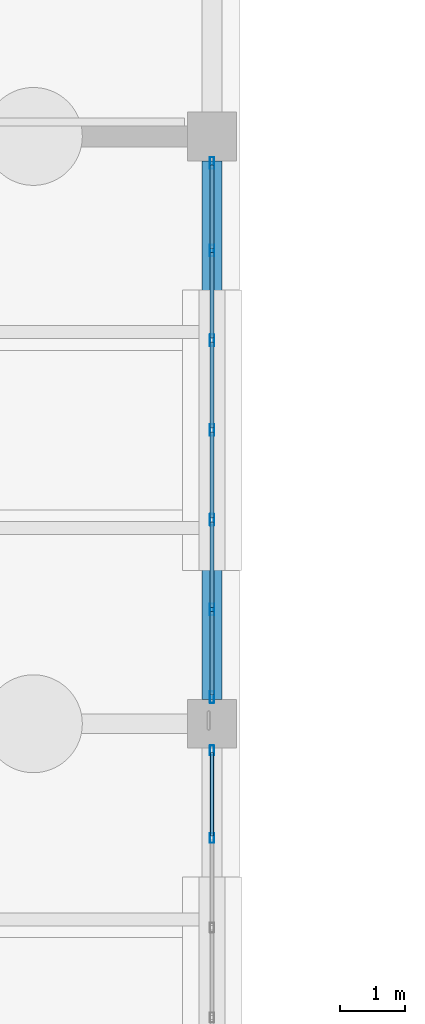
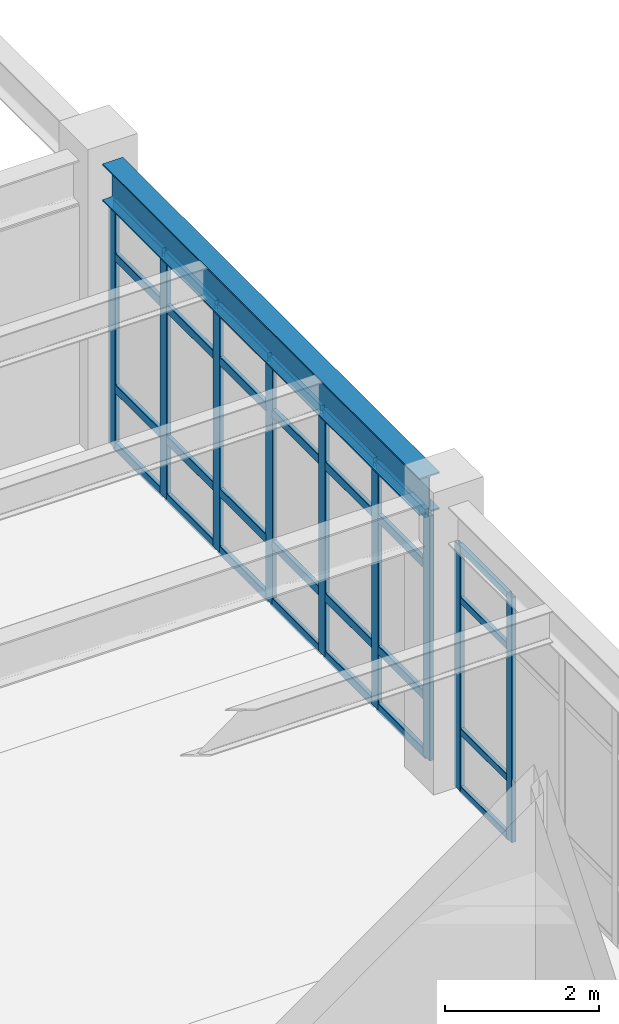
# One storey, part 84 of 139: 37 members, 1 beam, 2 elements without a shape of their own.
"""IFC4 building model written with IfcOpenShell, lengths in metres."""

from ifc_helpers import new_model, si_unit, direction, frame, origin, origin_2d, place, context, subcontext, project, spatial, hollow_rectangle, i_section, extrude, material, material_profile, profile_set, type_object, element, aggregate, save


model = new_model("IFC4")

# Units and contexts
model_context = context("Model", 3, precision=1e-05, world=origin(), true_north=direction((0.0, 1.0)))
body_context = subcontext(model_context, "Body", "Model", "MODEL_VIEW")
ifc_project = project(units=[si_unit("LENGTHUNIT", "METRE"), si_unit("AREAUNIT", "SQUARE_METRE"), si_unit("VOLUMEUNIT", "CUBIC_METRE"), si_unit("PLANEANGLEUNIT", "RADIAN"), si_unit("MASSUNIT", "GRAM", prefix="KILO")], contexts=[model_context])

# Site, building, storey
site_placement = place(None, origin())
site = spatial("IfcSite", under=ifc_project, at=site_placement, CompositionType="ELEMENT")
building_placement = place(site_placement, origin())
building = spatial("IfcBuilding", under=site, at=building_placement, Name="Canglan Escarpment Cableway Terminal", CompositionType="ELEMENT")
storey_placement = place(building_placement, frame((0.0, 0.0, 14.39990234375)))
storey = spatial("IfcBuildingStorey", under=building, at=storey_placement, Name="L03", CompositionType="ELEMENT", Elevation=14.39990234375)

# Beam
ifc_material_1 = material(Name="Steel Q355C", Category="steel")
ifc_material_profile_1 = material_profile(ifc_material_1, i_section(OverallWidth=0.302001953125, OverallDepth=0.593994140625, WebThickness=0.013916015625, FlangeThickness=0.02294921875, FilletRadius=0.028076171875, at=origin_2d()), Name="HM 594x302x14x23")
ifc_profile_set_1 = profile_set([ifc_material_profile_1], Name="Steel Q355C")
beam_type = type_object("IfcBeamType", Name="BM-HM594", PredefinedType="BEAM", material=ifc_profile_set_1)
beam_placement = place(storey_placement, frame((166.39990234375, 106.375, 4.203125), z_axis=(0.0, 1.0, 0.0), x_axis=(-1.0, 0.0, 0.0)))
element("IfcBeam", 1, at=beam_placement, inside=storey, type_object=beam_type, Name="Primary transverse girder B-07", PredefinedType="BEAM", context=body_context, shape_type="SweptSolid", body=[
    extrude(i_section(OverallWidth=0.302001953125, OverallDepth=0.593994140625, WebThickness=0.013916015625, FlangeThickness=0.02294921875, FilletRadius=0.028076171875, at=origin_2d()), origin(), (0.0, 0.0, 1.0), 8.25),
])

# Curtain wall, members
ifc_material_2 = material(Name="Anodized bronze aluminium and Low-E double glazing", Category="aluminium")
curtain_wall_type = type_object("IfcCurtainWallType", Name="CW-BAY-8250x3900", PredefinedType="NOTDEFINED", material=ifc_material_2)
curtain_wall_1_placement = place(storey_placement, origin())
curtain_wall_1 = element("IfcCurtainWall", 2, at=curtain_wall_1_placement, inside=storey, type_object=curtain_wall_type, Name="Classical bay-between-piers glazed curtain wall CW-62", PredefinedType="NOTDEFINED")
ifc_material_3 = material(Name="Thermally broken anodized aluminium 6063-T6", Category="aluminium")
ifc_material_profile_2 = material_profile(ifc_material_3, hollow_rectangle(XDim=0.06494140625, YDim=0.14990234375, WallThickness=0.00341796875, InnerFilletRadius=0.00341796875, OuterFilletRadius=0.007080078125, at=origin_2d()), Name="ALU-MULL 65x150x3.5")
ifc_profile_set_2 = profile_set([ifc_material_profile_2], Name="Thermally broken anodized aluminium 6063-T6")
member_type_1 = type_object("IfcMemberType", Name="CWM-02", PredefinedType="MULLION", material=ifc_profile_set_2)
member_1_placement = place(storey_placement, frame((166.39990234375, 104.25, 0.0), z_axis=(0.0, 0.0, 1.0), x_axis=(-1.0, 0.0, 0.0)))
member_1 = element("IfcMember", 3, at=member_1_placement, type_object=member_type_1, Name="CW-62 mullion 6", PredefinedType="MULLION", context=body_context, shape_type="SweptSolid", body=[
    extrude(hollow_rectangle(XDim=0.06494140625, YDim=0.14990234375, WallThickness=0.00341796875, InnerFilletRadius=0.00341796875, OuterFilletRadius=0.007080078125, at=origin_2d()), origin(), (0.0, 0.0, 1.0), 3.89111328125),
])
member_2_placement = place(storey_placement, frame((166.39990234375, 105.592529296875, 0.0), z_axis=(0.0, 0.0, 1.0), x_axis=(-1.0, 0.0, 0.0)))
member_2 = element("IfcMember", 4, at=member_2_placement, type_object=member_type_1, Name="CW-62 mullion 7", PredefinedType="MULLION", context=body_context, shape_type="SweptSolid", body=[
    extrude(hollow_rectangle(XDim=0.06494140625, YDim=0.14990234375, WallThickness=0.00341796875, InnerFilletRadius=0.00341796875, OuterFilletRadius=0.007080078125, at=origin_2d()), origin(), (0.0, 0.0, 1.0), 3.89111328125),
])

curtain_wall_2_placement = place(storey_placement, origin())
curtain_wall_2 = element("IfcCurtainWall", 5, at=curtain_wall_2_placement, inside=storey, type_object=curtain_wall_type, Name="Classical bay-between-piers glazed curtain wall CW-62", PredefinedType="NOTDEFINED")
ifc_material_profile_3 = material_profile(ifc_material_3, hollow_rectangle(XDim=0.06494140625, YDim=0.179931640625, WallThickness=0.00390625, InnerFilletRadius=0.00390625, OuterFilletRadius=0.008056640625, at=origin_2d()), Name="ALU-MULL 65x180x4")
ifc_profile_set_3 = profile_set([ifc_material_profile_3], Name="Thermally broken anodized aluminium 6063-T6")
member_type_2 = type_object("IfcMemberType", Name="CWM-03", PredefinedType="MULLION", material=ifc_profile_set_3)
member_3_placement = place(storey_placement, frame((166.39990234375, 106.407470703125, 0.0), z_axis=(0.0, 0.0, 1.0), x_axis=(-1.0, 0.0, 0.0)))
member_3 = element("IfcMember", 6, at=member_3_placement, type_object=member_type_2, Name="CW-62 mullion 1", PredefinedType="MULLION", context=body_context, shape_type="SweptSolid", body=[
    extrude(hollow_rectangle(XDim=0.06494140625, YDim=0.179931640625, WallThickness=0.00390625, InnerFilletRadius=0.00390625, OuterFilletRadius=0.008056640625, at=origin_2d()), origin(), (0.0, 0.0, 1.0), 3.89111328125),
])
member_4_placement = place(storey_placement, frame((166.39990234375, 107.75, 0.0), z_axis=(0.0, 0.0, 1.0), x_axis=(-1.0, 0.0, 0.0)))
member_4 = element("IfcMember", 7, at=member_4_placement, type_object=member_type_2, Name="CW-62 mullion 2", PredefinedType="MULLION", context=body_context, shape_type="SweptSolid", body=[
    extrude(hollow_rectangle(XDim=0.06494140625, YDim=0.179931640625, WallThickness=0.00390625, InnerFilletRadius=0.00390625, OuterFilletRadius=0.008056640625, at=origin_2d()), origin(), (0.0, 0.0, 1.0), 3.89111328125),
])
member_5_placement = place(storey_placement, frame((166.39990234375, 109.125, 0.0), z_axis=(0.0, 0.0, 1.0), x_axis=(-1.0, 0.0, 0.0)))
member_5 = element("IfcMember", 8, at=member_5_placement, type_object=member_type_2, Name="CW-62 mullion 3", PredefinedType="MULLION", context=body_context, shape_type="SweptSolid", body=[
    extrude(hollow_rectangle(XDim=0.06494140625, YDim=0.179931640625, WallThickness=0.00390625, InnerFilletRadius=0.00390625, OuterFilletRadius=0.008056640625, at=origin_2d()), origin(), (0.0, 0.0, 1.0), 3.89111328125),
])
member_6_placement = place(storey_placement, frame((166.39990234375, 110.5, 0.0), z_axis=(0.0, 0.0, 1.0), x_axis=(-1.0, 0.0, 0.0)))
member_6 = element("IfcMember", 9, at=member_6_placement, type_object=member_type_2, Name="CW-62 mullion 4", PredefinedType="MULLION", context=body_context, shape_type="SweptSolid", body=[
    extrude(hollow_rectangle(XDim=0.06494140625, YDim=0.179931640625, WallThickness=0.00390625, InnerFilletRadius=0.00390625, OuterFilletRadius=0.008056640625, at=origin_2d()), origin(), (0.0, 0.0, 1.0), 3.89111328125),
])
member_7_placement = place(storey_placement, frame((166.39990234375, 111.875, 0.0), z_axis=(0.0, 0.0, 1.0), x_axis=(-1.0, 0.0, 0.0)))
member_7 = element("IfcMember", 10, at=member_7_placement, type_object=member_type_2, Name="CW-62 mullion 5", PredefinedType="MULLION", context=body_context, shape_type="SweptSolid", body=[
    extrude(hollow_rectangle(XDim=0.06494140625, YDim=0.179931640625, WallThickness=0.00390625, InnerFilletRadius=0.00390625, OuterFilletRadius=0.008056640625, at=origin_2d()), origin(), (0.0, 0.0, 1.0), 3.89111328125),
])
member_8_placement = place(storey_placement, frame((166.39990234375, 113.25, 0.0), z_axis=(0.0, 0.0, 1.0), x_axis=(-1.0, 0.0, 0.0)))
member_8 = element("IfcMember", 11, at=member_8_placement, type_object=member_type_2, Name="CW-62 mullion 6", PredefinedType="MULLION", context=body_context, shape_type="SweptSolid", body=[
    extrude(hollow_rectangle(XDim=0.06494140625, YDim=0.179931640625, WallThickness=0.00390625, InnerFilletRadius=0.00390625, OuterFilletRadius=0.008056640625, at=origin_2d()), origin(), (0.0, 0.0, 1.0), 3.89111328125),
])
member_9_placement = place(storey_placement, frame((166.39990234375, 114.592529296875, 0.0), z_axis=(0.0, 0.0, 1.0), x_axis=(-1.0, 0.0, 0.0)))
member_9 = element("IfcMember", 12, at=member_9_placement, type_object=member_type_2, Name="CW-62 mullion 7", PredefinedType="MULLION", context=body_context, shape_type="SweptSolid", body=[
    extrude(hollow_rectangle(XDim=0.06494140625, YDim=0.179931640625, WallThickness=0.00390625, InnerFilletRadius=0.00390625, OuterFilletRadius=0.008056640625, at=origin_2d()), origin(), (0.0, 0.0, 1.0), 3.89111328125),
])

# Member
ifc_material_profile_4 = material_profile(ifc_material_3, hollow_rectangle(XDim=0.06005859375, YDim=0.110107421875, WallThickness=0.0029296875, InnerFilletRadius=0.0029296875, OuterFilletRadius=0.006103515625, at=origin_2d()), Name="ALU-TRAN 60x110x3")
ifc_profile_set_4 = profile_set([ifc_material_profile_4], Name="Thermally broken anodized aluminium 6063-T6")
member_type_3 = type_object("IfcMemberType", Name="CWT-02", PredefinedType="USERDEFINED", material=ifc_profile_set_4)
member_10_placement = place(storey_placement, frame((166.39990234375, 104.282470703125, 0.030029296875), z_axis=(0.0, 1.0, 0.0), x_axis=(-1.0, 0.0, 0.0)))
member_10 = element("IfcMember", 13, at=member_10_placement, type_object=member_type_3, Name="CW-62 transom 6.1", ObjectType="TRANSOM", PredefinedType="USERDEFINED", context=body_context, shape_type="SweptSolid", body=[
    extrude(hollow_rectangle(XDim=0.06005859375, YDim=0.110107421875, WallThickness=0.0029296875, InnerFilletRadius=0.0029296875, OuterFilletRadius=0.006103515625, at=origin_2d()), origin(), (0.0, 0.0, 1.0), 1.277587890625),
])

member_11_placement = place(storey_placement, frame((166.39990234375, 104.282470703125, 0.9501953125), z_axis=(0.0, 1.0, 0.0), x_axis=(-1.0, 0.0, 0.0)))
member_11 = element("IfcMember", 14, at=member_11_placement, type_object=member_type_3, Name="CW-62 transom 6.2", ObjectType="TRANSOM", PredefinedType="USERDEFINED", context=body_context, shape_type="SweptSolid", body=[
    extrude(hollow_rectangle(XDim=0.06005859375, YDim=0.110107421875, WallThickness=0.0029296875, InnerFilletRadius=0.0029296875, OuterFilletRadius=0.006103515625, at=origin_2d()), origin(), (0.0, 0.0, 1.0), 1.277587890625),
])

member_12_placement = place(storey_placement, frame((166.39990234375, 104.282470703125, 3.041015625), z_axis=(0.0, 1.0, 0.0), x_axis=(-1.0, 0.0, 0.0)))
member_12 = element("IfcMember", 15, at=member_12_placement, type_object=member_type_3, Name="CW-62 transom 6.3", ObjectType="TRANSOM", PredefinedType="USERDEFINED", context=body_context, shape_type="SweptSolid", body=[
    extrude(hollow_rectangle(XDim=0.06005859375, YDim=0.110107421875, WallThickness=0.0029296875, InnerFilletRadius=0.0029296875, OuterFilletRadius=0.006103515625, at=origin_2d()), origin(), (0.0, 0.0, 1.0), 1.277587890625),
])

member_13_placement = place(storey_placement, frame((166.39990234375, 104.282470703125, 3.861083984375), z_axis=(0.0, 1.0, 0.0), x_axis=(-1.0, 0.0, 0.0)))
member_13 = element("IfcMember", 16, at=member_13_placement, type_object=member_type_3, Name="CW-62 transom 6.4", ObjectType="TRANSOM", PredefinedType="USERDEFINED", context=body_context, shape_type="SweptSolid", body=[
    extrude(hollow_rectangle(XDim=0.06005859375, YDim=0.110107421875, WallThickness=0.0029296875, InnerFilletRadius=0.0029296875, OuterFilletRadius=0.006103515625, at=origin_2d()), origin(), (0.0, 0.0, 1.0), 1.277587890625),
])

aggregate(curtain_wall_1, [member_1, member_2, member_10, member_11, member_12, member_13])

ifc_material_profile_5 = material_profile(ifc_material_3, hollow_rectangle(XDim=0.06494140625, YDim=0.139892578125, WallThickness=0.00341796875, InnerFilletRadius=0.00341796875, OuterFilletRadius=0.007080078125, at=origin_2d()), Name="ALU-TRAN 65x140x3.5")
ifc_profile_set_5 = profile_set([ifc_material_profile_5], Name="Thermally broken anodized aluminium 6063-T6")
member_type_4 = type_object("IfcMemberType", Name="CWT-03", PredefinedType="USERDEFINED", material=ifc_profile_set_5)
member_14_placement = place(storey_placement, frame((166.39990234375, 106.43994140625, 0.03271484375), z_axis=(0.0, 1.0, 0.0), x_axis=(-1.0, 0.0, 0.0)))
member_14 = element("IfcMember", 17, at=member_14_placement, type_object=member_type_4, Name="CW-62 transom 1.1", ObjectType="TRANSOM", PredefinedType="USERDEFINED", context=body_context, shape_type="SweptSolid", body=[
    extrude(hollow_rectangle(XDim=0.06494140625, YDim=0.139892578125, WallThickness=0.00341796875, InnerFilletRadius=0.00341796875, OuterFilletRadius=0.007080078125, at=origin_2d()), origin(), (0.0, 0.0, 1.0), 1.277587890625),
])

member_15_placement = place(storey_placement, frame((166.39990234375, 106.43994140625, 0.9501953125), z_axis=(0.0, 1.0, 0.0), x_axis=(-1.0, 0.0, 0.0)))
member_15 = element("IfcMember", 18, at=member_15_placement, type_object=member_type_4, Name="CW-62 transom 1.2", ObjectType="TRANSOM", PredefinedType="USERDEFINED", context=body_context, shape_type="SweptSolid", body=[
    extrude(hollow_rectangle(XDim=0.06494140625, YDim=0.139892578125, WallThickness=0.00341796875, InnerFilletRadius=0.00341796875, OuterFilletRadius=0.007080078125, at=origin_2d()), origin(), (0.0, 0.0, 1.0), 1.277587890625),
])

member_16_placement = place(storey_placement, frame((166.39990234375, 106.43994140625, 3.041015625), z_axis=(0.0, 1.0, 0.0), x_axis=(-1.0, 0.0, 0.0)))
member_16 = element("IfcMember", 19, at=member_16_placement, type_object=member_type_4, Name="CW-62 transom 1.3", ObjectType="TRANSOM", PredefinedType="USERDEFINED", context=body_context, shape_type="SweptSolid", body=[
    extrude(hollow_rectangle(XDim=0.06494140625, YDim=0.139892578125, WallThickness=0.00341796875, InnerFilletRadius=0.00341796875, OuterFilletRadius=0.007080078125, at=origin_2d()), origin(), (0.0, 0.0, 1.0), 1.277587890625),
])

member_17_placement = place(storey_placement, frame((166.39990234375, 106.43994140625, 3.858642578125), z_axis=(0.0, 1.0, 0.0), x_axis=(-1.0, 0.0, 0.0)))
member_17 = element("IfcMember", 20, at=member_17_placement, type_object=member_type_4, Name="CW-62 transom 1.4", ObjectType="TRANSOM", PredefinedType="USERDEFINED", context=body_context, shape_type="SweptSolid", body=[
    extrude(hollow_rectangle(XDim=0.06494140625, YDim=0.139892578125, WallThickness=0.00341796875, InnerFilletRadius=0.00341796875, OuterFilletRadius=0.007080078125, at=origin_2d()), origin(), (0.0, 0.0, 1.0), 1.277587890625),
])

member_18_placement = place(storey_placement, frame((166.39990234375, 107.782470703125, 0.03271484375), z_axis=(0.0, 1.0, 0.0), x_axis=(-1.0, 0.0, 0.0)))
member_18 = element("IfcMember", 21, at=member_18_placement, type_object=member_type_4, Name="CW-62 transom 2.1", ObjectType="TRANSOM", PredefinedType="USERDEFINED", context=body_context, shape_type="SweptSolid", body=[
    extrude(hollow_rectangle(XDim=0.06494140625, YDim=0.139892578125, WallThickness=0.00341796875, InnerFilletRadius=0.00341796875, OuterFilletRadius=0.007080078125, at=origin_2d()), origin(), (0.0, 0.0, 1.0), 1.31005859375),
])

member_19_placement = place(storey_placement, frame((166.39990234375, 107.782470703125, 0.9501953125), z_axis=(0.0, 1.0, 0.0), x_axis=(-1.0, 0.0, 0.0)))
member_19 = element("IfcMember", 22, at=member_19_placement, type_object=member_type_4, Name="CW-62 transom 2.2", ObjectType="TRANSOM", PredefinedType="USERDEFINED", context=body_context, shape_type="SweptSolid", body=[
    extrude(hollow_rectangle(XDim=0.06494140625, YDim=0.139892578125, WallThickness=0.00341796875, InnerFilletRadius=0.00341796875, OuterFilletRadius=0.007080078125, at=origin_2d()), origin(), (0.0, 0.0, 1.0), 1.31005859375),
])

member_20_placement = place(storey_placement, frame((166.39990234375, 107.782470703125, 3.041015625), z_axis=(0.0, 1.0, 0.0), x_axis=(-1.0, 0.0, 0.0)))
member_20 = element("IfcMember", 23, at=member_20_placement, type_object=member_type_4, Name="CW-62 transom 2.3", ObjectType="TRANSOM", PredefinedType="USERDEFINED", context=body_context, shape_type="SweptSolid", body=[
    extrude(hollow_rectangle(XDim=0.06494140625, YDim=0.139892578125, WallThickness=0.00341796875, InnerFilletRadius=0.00341796875, OuterFilletRadius=0.007080078125, at=origin_2d()), origin(), (0.0, 0.0, 1.0), 1.31005859375),
])

member_21_placement = place(storey_placement, frame((166.39990234375, 107.782470703125, 3.858642578125), z_axis=(0.0, 1.0, 0.0), x_axis=(-1.0, 0.0, 0.0)))
member_21 = element("IfcMember", 24, at=member_21_placement, type_object=member_type_4, Name="CW-62 transom 2.4", ObjectType="TRANSOM", PredefinedType="USERDEFINED", context=body_context, shape_type="SweptSolid", body=[
    extrude(hollow_rectangle(XDim=0.06494140625, YDim=0.139892578125, WallThickness=0.00341796875, InnerFilletRadius=0.00341796875, OuterFilletRadius=0.007080078125, at=origin_2d()), origin(), (0.0, 0.0, 1.0), 1.31005859375),
])

member_22_placement = place(storey_placement, frame((166.39990234375, 109.157470703125, 0.03271484375), z_axis=(0.0, 1.0, 0.0), x_axis=(-1.0, 0.0, 0.0)))
member_22 = element("IfcMember", 25, at=member_22_placement, type_object=member_type_4, Name="CW-62 transom 3.1", ObjectType="TRANSOM", PredefinedType="USERDEFINED", context=body_context, shape_type="SweptSolid", body=[
    extrude(hollow_rectangle(XDim=0.06494140625, YDim=0.139892578125, WallThickness=0.00341796875, InnerFilletRadius=0.00341796875, OuterFilletRadius=0.007080078125, at=origin_2d()), origin(), (0.0, 0.0, 1.0), 1.31005859375),
])

member_23_placement = place(storey_placement, frame((166.39990234375, 109.157470703125, 0.9501953125), z_axis=(0.0, 1.0, 0.0), x_axis=(-1.0, 0.0, 0.0)))
member_23 = element("IfcMember", 26, at=member_23_placement, type_object=member_type_4, Name="CW-62 transom 3.2", ObjectType="TRANSOM", PredefinedType="USERDEFINED", context=body_context, shape_type="SweptSolid", body=[
    extrude(hollow_rectangle(XDim=0.06494140625, YDim=0.139892578125, WallThickness=0.00341796875, InnerFilletRadius=0.00341796875, OuterFilletRadius=0.007080078125, at=origin_2d()), origin(), (0.0, 0.0, 1.0), 1.31005859375),
])

member_24_placement = place(storey_placement, frame((166.39990234375, 109.157470703125, 3.041015625), z_axis=(0.0, 1.0, 0.0), x_axis=(-1.0, 0.0, 0.0)))
member_24 = element("IfcMember", 27, at=member_24_placement, type_object=member_type_4, Name="CW-62 transom 3.3", ObjectType="TRANSOM", PredefinedType="USERDEFINED", context=body_context, shape_type="SweptSolid", body=[
    extrude(hollow_rectangle(XDim=0.06494140625, YDim=0.139892578125, WallThickness=0.00341796875, InnerFilletRadius=0.00341796875, OuterFilletRadius=0.007080078125, at=origin_2d()), origin(), (0.0, 0.0, 1.0), 1.31005859375),
])

member_25_placement = place(storey_placement, frame((166.39990234375, 109.157470703125, 3.858642578125), z_axis=(0.0, 1.0, 0.0), x_axis=(-1.0, 0.0, 0.0)))
member_25 = element("IfcMember", 28, at=member_25_placement, type_object=member_type_4, Name="CW-62 transom 3.4", ObjectType="TRANSOM", PredefinedType="USERDEFINED", context=body_context, shape_type="SweptSolid", body=[
    extrude(hollow_rectangle(XDim=0.06494140625, YDim=0.139892578125, WallThickness=0.00341796875, InnerFilletRadius=0.00341796875, OuterFilletRadius=0.007080078125, at=origin_2d()), origin(), (0.0, 0.0, 1.0), 1.31005859375),
])

member_26_placement = place(storey_placement, frame((166.39990234375, 110.532470703125, 0.03271484375), z_axis=(0.0, 1.0, 0.0), x_axis=(-1.0, 0.0, 0.0)))
member_26 = element("IfcMember", 29, at=member_26_placement, type_object=member_type_4, Name="CW-62 transom 4.1", ObjectType="TRANSOM", PredefinedType="USERDEFINED", context=body_context, shape_type="SweptSolid", body=[
    extrude(hollow_rectangle(XDim=0.06494140625, YDim=0.139892578125, WallThickness=0.00341796875, InnerFilletRadius=0.00341796875, OuterFilletRadius=0.007080078125, at=origin_2d()), origin(), (0.0, 0.0, 1.0), 1.31005859375),
])

member_27_placement = place(storey_placement, frame((166.39990234375, 110.532470703125, 0.9501953125), z_axis=(0.0, 1.0, 0.0), x_axis=(-1.0, 0.0, 0.0)))
member_27 = element("IfcMember", 30, at=member_27_placement, type_object=member_type_4, Name="CW-62 transom 4.2", ObjectType="TRANSOM", PredefinedType="USERDEFINED", context=body_context, shape_type="SweptSolid", body=[
    extrude(hollow_rectangle(XDim=0.06494140625, YDim=0.139892578125, WallThickness=0.00341796875, InnerFilletRadius=0.00341796875, OuterFilletRadius=0.007080078125, at=origin_2d()), origin(), (0.0, 0.0, 1.0), 1.31005859375),
])

member_28_placement = place(storey_placement, frame((166.39990234375, 110.532470703125, 3.041015625), z_axis=(0.0, 1.0, 0.0), x_axis=(-1.0, 0.0, 0.0)))
member_28 = element("IfcMember", 31, at=member_28_placement, type_object=member_type_4, Name="CW-62 transom 4.3", ObjectType="TRANSOM", PredefinedType="USERDEFINED", context=body_context, shape_type="SweptSolid", body=[
    extrude(hollow_rectangle(XDim=0.06494140625, YDim=0.139892578125, WallThickness=0.00341796875, InnerFilletRadius=0.00341796875, OuterFilletRadius=0.007080078125, at=origin_2d()), origin(), (0.0, 0.0, 1.0), 1.31005859375),
])

member_29_placement = place(storey_placement, frame((166.39990234375, 110.532470703125, 3.858642578125), z_axis=(0.0, 1.0, 0.0), x_axis=(-1.0, 0.0, 0.0)))
member_29 = element("IfcMember", 32, at=member_29_placement, type_object=member_type_4, Name="CW-62 transom 4.4", ObjectType="TRANSOM", PredefinedType="USERDEFINED", context=body_context, shape_type="SweptSolid", body=[
    extrude(hollow_rectangle(XDim=0.06494140625, YDim=0.139892578125, WallThickness=0.00341796875, InnerFilletRadius=0.00341796875, OuterFilletRadius=0.007080078125, at=origin_2d()), origin(), (0.0, 0.0, 1.0), 1.31005859375),
])

member_30_placement = place(storey_placement, frame((166.39990234375, 111.907470703125, 0.03271484375), z_axis=(0.0, 1.0, 0.0), x_axis=(-1.0, 0.0, 0.0)))
member_30 = element("IfcMember", 33, at=member_30_placement, type_object=member_type_4, Name="CW-62 transom 5.1", ObjectType="TRANSOM", PredefinedType="USERDEFINED", context=body_context, shape_type="SweptSolid", body=[
    extrude(hollow_rectangle(XDim=0.06494140625, YDim=0.139892578125, WallThickness=0.00341796875, InnerFilletRadius=0.00341796875, OuterFilletRadius=0.007080078125, at=origin_2d()), origin(), (0.0, 0.0, 1.0), 1.31005859375),
])

member_31_placement = place(storey_placement, frame((166.39990234375, 111.907470703125, 0.9501953125), z_axis=(0.0, 1.0, 0.0), x_axis=(-1.0, 0.0, 0.0)))
member_31 = element("IfcMember", 34, at=member_31_placement, type_object=member_type_4, Name="CW-62 transom 5.2", ObjectType="TRANSOM", PredefinedType="USERDEFINED", context=body_context, shape_type="SweptSolid", body=[
    extrude(hollow_rectangle(XDim=0.06494140625, YDim=0.139892578125, WallThickness=0.00341796875, InnerFilletRadius=0.00341796875, OuterFilletRadius=0.007080078125, at=origin_2d()), origin(), (0.0, 0.0, 1.0), 1.31005859375),
])

member_32_placement = place(storey_placement, frame((166.39990234375, 111.907470703125, 3.041015625), z_axis=(0.0, 1.0, 0.0), x_axis=(-1.0, 0.0, 0.0)))
member_32 = element("IfcMember", 35, at=member_32_placement, type_object=member_type_4, Name="CW-62 transom 5.3", ObjectType="TRANSOM", PredefinedType="USERDEFINED", context=body_context, shape_type="SweptSolid", body=[
    extrude(hollow_rectangle(XDim=0.06494140625, YDim=0.139892578125, WallThickness=0.00341796875, InnerFilletRadius=0.00341796875, OuterFilletRadius=0.007080078125, at=origin_2d()), origin(), (0.0, 0.0, 1.0), 1.31005859375),
])

member_33_placement = place(storey_placement, frame((166.39990234375, 111.907470703125, 3.858642578125), z_axis=(0.0, 1.0, 0.0), x_axis=(-1.0, 0.0, 0.0)))
member_33 = element("IfcMember", 36, at=member_33_placement, type_object=member_type_4, Name="CW-62 transom 5.4", ObjectType="TRANSOM", PredefinedType="USERDEFINED", context=body_context, shape_type="SweptSolid", body=[
    extrude(hollow_rectangle(XDim=0.06494140625, YDim=0.139892578125, WallThickness=0.00341796875, InnerFilletRadius=0.00341796875, OuterFilletRadius=0.007080078125, at=origin_2d()), origin(), (0.0, 0.0, 1.0), 1.31005859375),
])

member_34_placement = place(storey_placement, frame((166.39990234375, 113.282470703125, 0.03271484375), z_axis=(0.0, 1.0, 0.0), x_axis=(-1.0, 0.0, 0.0)))
member_34 = element("IfcMember", 37, at=member_34_placement, type_object=member_type_4, Name="CW-62 transom 6.1", ObjectType="TRANSOM", PredefinedType="USERDEFINED", context=body_context, shape_type="SweptSolid", body=[
    extrude(hollow_rectangle(XDim=0.06494140625, YDim=0.139892578125, WallThickness=0.00341796875, InnerFilletRadius=0.00341796875, OuterFilletRadius=0.007080078125, at=origin_2d()), origin(), (0.0, 0.0, 1.0), 1.277587890625),
])

member_35_placement = place(storey_placement, frame((166.39990234375, 113.282470703125, 0.9501953125), z_axis=(0.0, 1.0, 0.0), x_axis=(-1.0, 0.0, 0.0)))
member_35 = element("IfcMember", 38, at=member_35_placement, type_object=member_type_4, Name="CW-62 transom 6.2", ObjectType="TRANSOM", PredefinedType="USERDEFINED", context=body_context, shape_type="SweptSolid", body=[
    extrude(hollow_rectangle(XDim=0.06494140625, YDim=0.139892578125, WallThickness=0.00341796875, InnerFilletRadius=0.00341796875, OuterFilletRadius=0.007080078125, at=origin_2d()), origin(), (0.0, 0.0, 1.0), 1.277587890625),
])

member_36_placement = place(storey_placement, frame((166.39990234375, 113.282470703125, 3.041015625), z_axis=(0.0, 1.0, 0.0), x_axis=(-1.0, 0.0, 0.0)))
member_36 = element("IfcMember", 39, at=member_36_placement, type_object=member_type_4, Name="CW-62 transom 6.3", ObjectType="TRANSOM", PredefinedType="USERDEFINED", context=body_context, shape_type="SweptSolid", body=[
    extrude(hollow_rectangle(XDim=0.06494140625, YDim=0.139892578125, WallThickness=0.00341796875, InnerFilletRadius=0.00341796875, OuterFilletRadius=0.007080078125, at=origin_2d()), origin(), (0.0, 0.0, 1.0), 1.277587890625),
])

member_37_placement = place(storey_placement, frame((166.39990234375, 113.282470703125, 3.858642578125), z_axis=(0.0, 1.0, 0.0), x_axis=(-1.0, 0.0, 0.0)))
member_37 = element("IfcMember", 40, at=member_37_placement, type_object=member_type_4, Name="CW-62 transom 6.4", ObjectType="TRANSOM", PredefinedType="USERDEFINED", context=body_context, shape_type="SweptSolid", body=[
    extrude(hollow_rectangle(XDim=0.06494140625, YDim=0.139892578125, WallThickness=0.00341796875, InnerFilletRadius=0.00341796875, OuterFilletRadius=0.007080078125, at=origin_2d()), origin(), (0.0, 0.0, 1.0), 1.277587890625),
])

aggregate(curtain_wall_2, [member_3, member_4, member_5, member_6, member_7, member_8, member_9, member_14, member_15, member_16, member_17, member_18, member_19, member_20, member_21, member_22, member_23, member_24, member_25, member_26, member_27, member_28, member_29, member_30, member_31, member_32, member_33, member_34, member_35, member_36, member_37])

save(model, "model.ifc")
